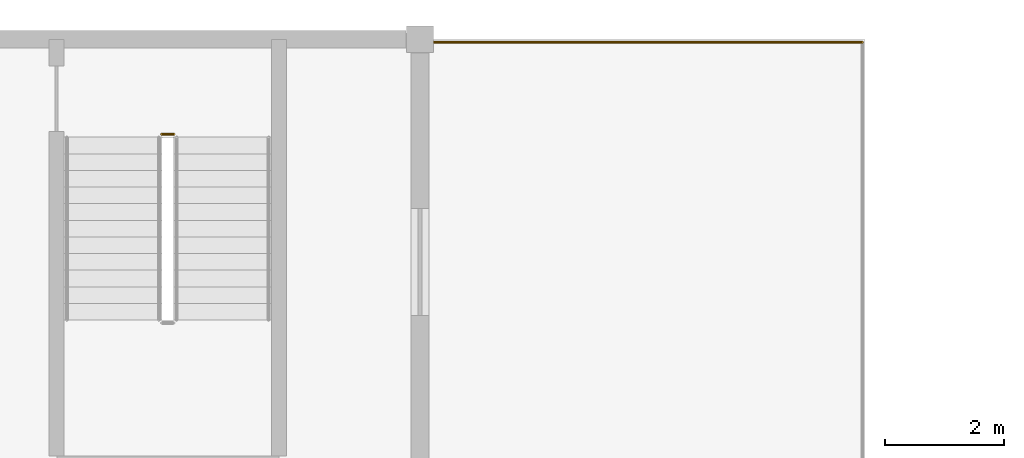
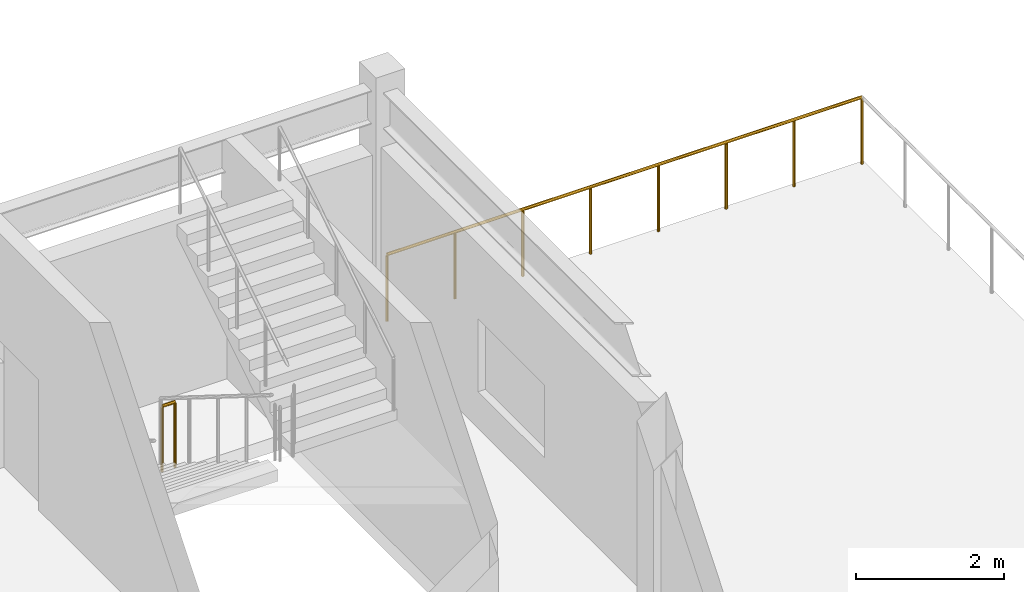
# One storey, part 50 of 51: 2 railings.
"""IFC4 building model written with IfcOpenShell, lengths in metres."""

from ifc_helpers import new_model, si_unit, direction, frame, origin, origin_2d, place, context, subcontext, project, spatial, circle, extrude, material, layer, layer_set, type_object, element, save


model = new_model("IFC4")

# Units and contexts
model_context = context("Model", 3, precision=1e-05, world=origin(), true_north=direction((0.0, 1.0)))
body_context = subcontext(model_context, "Body", "Model", "MODEL_VIEW")
ifc_project = project(units=[si_unit("LENGTHUNIT", "METRE"), si_unit("AREAUNIT", "SQUARE_METRE"), si_unit("VOLUMEUNIT", "CUBIC_METRE"), si_unit("PLANEANGLEUNIT", "RADIAN"), si_unit("MASSUNIT", "GRAM", prefix="KILO")], contexts=[model_context])

# Site, building, storey
site_placement = place(None, origin())
site = spatial("IfcSite", under=ifc_project, at=site_placement, CompositionType="ELEMENT")
building_placement = place(site_placement, origin())
building = spatial("IfcBuilding", under=site, at=building_placement, Name="Qasida Concert Hall", CompositionType="ELEMENT")
storey_placement = place(building_placement, frame((0.0, 0.0, 21.0)))
storey = spatial("IfcBuildingStorey", under=building, at=storey_placement, Name="L05", CompositionType="ELEMENT", Elevation=21.0)

# Railings
ifc_material = material(Name="Patinated architectural bronze and laminated glass infill", Category="glass")
ifc_layer = layer(ifc_material, 0.080078125, Name="Patinated architectural bronze and laminated glass infill")
ifc_layer_set = layer_set([ifc_layer], Name="Patinated architectural bronze and laminated glass infill")
railing_type = type_object("IfcRailingType", Name="RL-GRD-1100", PredefinedType="GUARDRAIL", material=ifc_layer_set)
railing_1_placement = place(storey_placement, frame((29.949951171875, 112.449951171875, 0.0)))
element("IfcRailing", 1, at=railing_1_placement, inside=storey, type_object=railing_type, Name="L05 Ziggurat L05 terrace guardrail 0013", PredefinedType="GUARDRAIL", context=body_context, shape_type="SweptSolid", body=[
    extrude(circle(Radius=0.02392578125, at=origin_2d()), frame((0.0, 0.0, 1.09619140625), z_axis=(-1.0, 0.0, 0.0), x_axis=(0.0, -1.0, 0.0)), (0.0, 0.0, 1.0), 7.39990234375),
    extrude(circle(Radius=0.02099609375, at=origin_2d()), origin(), (0.0, 0.0, 1.0), 1.072021484375),
    extrude(circle(Radius=0.02099609375, at=origin_2d()), frame((-1.05712890625, 0.0, 0.0)), (0.0, 0.0, 1.0), 1.072021484375),
    extrude(circle(Radius=0.02099609375, at=origin_2d()), frame((-2.1142578125, 0.0, 0.0)), (0.0, 0.0, 1.0), 1.072021484375),
    extrude(circle(Radius=0.02099609375, at=origin_2d()), frame((-3.17138671875, 0.0, 0.0)), (0.0, 0.0, 1.0), 1.072021484375),
    extrude(circle(Radius=0.02099609375, at=origin_2d()), frame((-4.228515625, 0.0, 0.0)), (0.0, 0.0, 1.0), 1.072021484375),
    extrude(circle(Radius=0.02099609375, at=origin_2d()), frame((-5.28564453125, 0.0, 0.0)), (0.0, 0.0, 1.0), 1.072021484375),
    extrude(circle(Radius=0.02099609375, at=origin_2d()), frame((-6.3427734375, 0.0, 0.0)), (0.0, 0.0, 1.0), 1.072021484375),
    extrude(circle(Radius=0.02099609375, at=origin_2d()), frame((-7.39990234375, 0.0, 0.0)), (0.0, 0.0, 1.0), 1.072021484375),
])
railing_2_placement = place(storey_placement, frame((18.14990234375, 110.89990234375, 0.0)))
element("IfcRailing", 2, at=railing_2_placement, inside=storey, type_object=railing_type, Name="L05 ST-06 stair guard 4", PredefinedType="GUARDRAIL", context=body_context, shape_type="SweptSolid", body=[
    extrude(circle(Radius=0.02392578125, at=origin_2d()), frame((0.0, 0.0, 1.076171875), z_axis=(1.0, 0.0, 0.0), x_axis=(0.0, 1.0, 0.0)), (0.0, 0.0, 1.0), 0.2001953125),
    extrude(circle(Radius=0.02099609375, at=origin_2d()), origin(), (0.0, 0.0, 1.0), 1.052001953125),
    extrude(circle(Radius=0.02099609375, at=origin_2d()), frame((0.2001953125, 0.0, 0.0)), (0.0, 0.0, 1.0), 1.052001953125),
])

save(model, "model.ifc")
